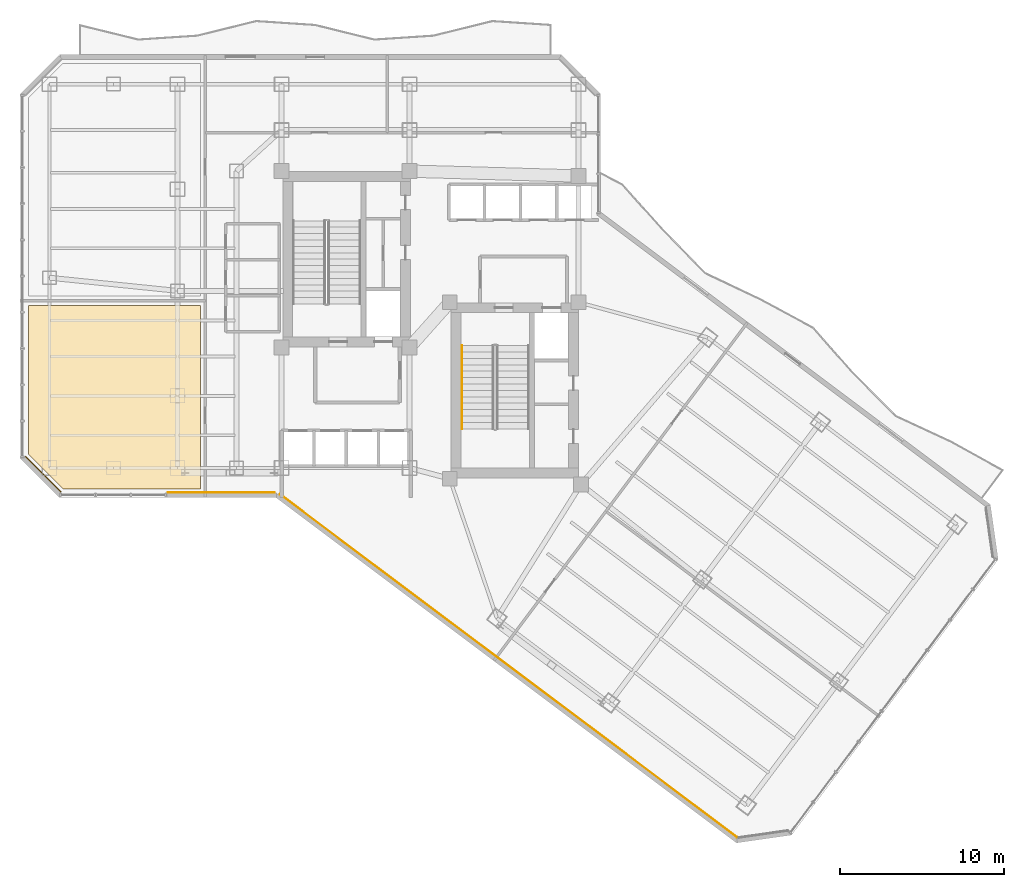
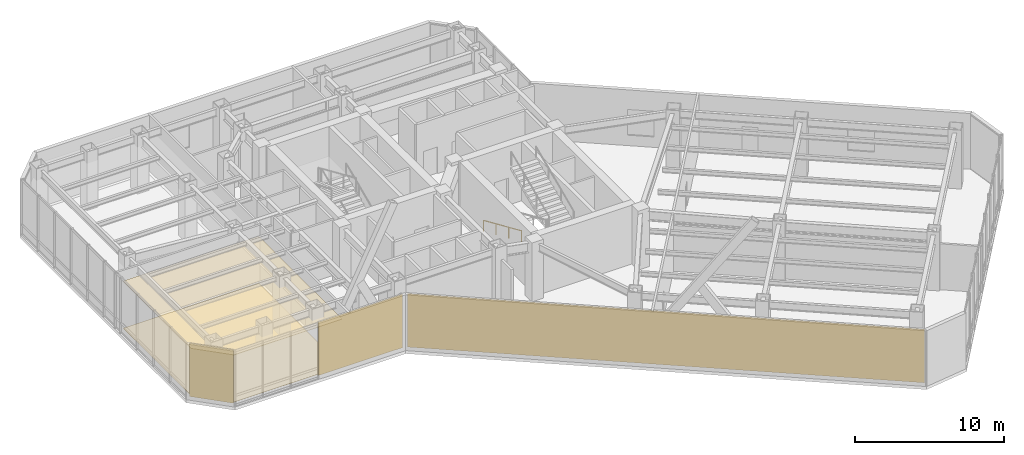
# One storey, part 23 of 27: 5 coverings, 1 railing.
"""IFC4 building model written with IfcOpenShell, lengths in metres."""

import ifcopenshell
import ifcopenshell.guid

model = None  # the IFC model being written
_history = None  # IfcOwnerHistory: only IFC2X3 demands one
_inside = {}  # id of a spatial element -> (the spatial element, [elements in it])
_under = {}  # id of a project, library or spatial element -> (it, [spatial elements below it])
_declared = {}  # id of a project -> (the project, [libraries it declares])
_typed = {}  # id of a type object -> (the type object, [elements of that type])
_made_of = {}  # id of a material, layer set ... -> (it, [elements and type objects made of it])


def new_model(schema):
    """Start an empty IFC model of exactly this schema.

    Asked for "IFC4X3", IfcOpenShell would pick the latest addendum, in which some entities
    have other attributes; the version numbers below select the first issue.
    IFC2X3 requires an IfcOwnerHistory on every rooted entity: one is made here for all.
    """
    global model, _history
    if schema == "IFC4X3":
        model = ifcopenshell.file(schema_version=(4, 3, 0, 0))
    else:
        model = ifcopenshell.file(schema=schema)
    _inside.clear()
    _under.clear()
    _declared.clear()
    _typed.clear()
    _made_of.clear()
    _history = None
    if model.schema == "IFC2X3":
        org = make("IfcOrganization", Name="unknown")
        user = make(
            "IfcPersonAndOrganization",
            ThePerson=make("IfcPerson", FamilyName="unknown"),
            TheOrganization=org,
        )
        app = make(
            "IfcApplication",
            ApplicationDeveloper=org,
            Version="unknown",
            ApplicationFullName="unknown",
            ApplicationIdentifier="unknown",
        )
        _history = make(
            "IfcOwnerHistory",
            OwningUser=user,
            OwningApplication=app,
            ChangeAction="ADDED",
            CreationDate=0,
        )
    return model


def make(cls, **values):
    """One entity of the class cls with the attributes given. An attribute that is None is left unset."""
    return model.create_entity(
        cls, **{name: value for name, value in values.items() if value is not None}
    )


def rooted(cls, **values):
    """An entity with a GlobalId (a new one), such as an element, a storey or a relation."""
    return make(cls, GlobalId=ifcopenshell.guid.new(), OwnerHistory=_history, **values)


def si_unit(unit_type, name, prefix=None):
    """IfcSIUnit, for example si_unit("LENGTHUNIT", "METRE", prefix="MILLI")."""
    return make("IfcSIUnit", UnitType=unit_type, Prefix=prefix, Name=name)


def assignment(units):
    """IfcUnitAssignment: the units of a project."""
    return None if units is None else make("IfcUnitAssignment", Units=units)


def point(xyz):
    """IfcCartesianPoint."""
    return None if xyz is None else make("IfcCartesianPoint", Coordinates=xyz)


def direction(xyz):
    """IfcDirection."""
    return None if xyz is None else make("IfcDirection", DirectionRatios=xyz)


def frame(location, z_axis=None, x_axis=None):
    """IfcAxis2Placement3D, a coordinate frame: its origin and axes. An axis left out is left unset."""
    return make(
        "IfcAxis2Placement3D",
        Location=point(location),
        Axis=direction(z_axis),
        RefDirection=direction(x_axis),
    )


def frame_2d(location, x_axis=None):
    """IfcAxis2Placement2D, a coordinate frame in the plane: its origin and x axis."""
    return make(
        "IfcAxis2Placement2D", Location=point(location), RefDirection=direction(x_axis)
    )


def origin():
    """The frame at (0, 0, 0) with its axes left unset."""
    return frame((0.0, 0.0, 0.0))


def origin_2d():
    """The frame at (0, 0) in the plane with its x axis left unset."""
    return frame_2d((0.0, 0.0))


def place(relative_to, where):
    """IfcLocalPlacement: puts the frame where relative to a parent placement (None: the world)."""
    return make(
        "IfcLocalPlacement", PlacementRelTo=relative_to, RelativePlacement=where
    )


def context(
    kind, dimensions, precision=None, world=None, true_north=None, identifier=None
):
    """IfcGeometricRepresentationContext, for example the 3D "Model" context."""
    return make(
        "IfcGeometricRepresentationContext",
        ContextIdentifier=identifier,
        ContextType=kind,
        CoordinateSpaceDimension=dimensions,
        Precision=precision,
        WorldCoordinateSystem=world,
        TrueNorth=true_north,
    )


def subcontext(parent, identifier, kind, view, scale=None):
    """IfcGeometricRepresentationSubContext, for example "Body" below "Model"."""
    return make(
        "IfcGeometricRepresentationSubContext",
        ContextIdentifier=identifier,
        ContextType=kind,
        ParentContext=parent,
        TargetScale=scale,
        TargetView=view,
    )


def project(units=None, contexts=None):
    """IfcProject with its units and contexts."""
    return rooted(
        "IfcProject",
        Name="project",
        RepresentationContexts=contexts,
        UnitsInContext=assignment(units),
    )


def spatial(cls, under=None, at=None, **own):
    """A site, building, storey or space (cls), placed at a placement, below another one or the project."""
    s = rooted(cls, ObjectPlacement=at, **own)
    if under is not None:
        _under.setdefault(under.id(), (under, []))[1].append(s)
    return s


def polyline(points):
    """IfcPolyline through the points."""
    return make("IfcPolyline", Points=[point(p) for p in points])


def profile(cls, at=None, kind="AREA", **sizes):
    """A parametric profile (cls). Its sizes go by their IFC names, for example OverallWidth=200.0."""
    return make(cls, ProfileType=kind, Position=at, **sizes)


def rectangle(**sizes):
    """IfcRectangleProfileDef."""
    return profile("IfcRectangleProfileDef", **sizes)


def circle(**sizes):
    """IfcCircleProfileDef."""
    return profile("IfcCircleProfileDef", **sizes)


def outline(outer, holes=None, kind="AREA"):
    """IfcArbitraryClosedProfileDef: a profile drawn as a closed curve; with holes, ...WithVoids."""
    if holes is None:
        return make("IfcArbitraryClosedProfileDef", ProfileType=kind, OuterCurve=outer)
    return make(
        "IfcArbitraryProfileDefWithVoids",
        ProfileType=kind,
        OuterCurve=outer,
        InnerCurves=holes,
    )


def extrude(swept, where, along, depth):
    """IfcExtrudedAreaSolid: the profile swept, set in the frame where, extruded along a direction by depth."""
    return make(
        "IfcExtrudedAreaSolid",
        SweptArea=swept,
        Position=where,
        ExtrudedDirection=direction(along),
        Depth=depth,
    )


def shape(context_of_items, identifier, shape_type, items):
    """IfcShapeRepresentation: the items that make up one representation, for example the "Body"."""
    return make(
        "IfcShapeRepresentation",
        ContextOfItems=context_of_items,
        RepresentationIdentifier=identifier,
        RepresentationType=shape_type,
        Items=items,
    )


def material(Name=None, Category=None):
    """IfcMaterial."""
    return make("IfcMaterial", Name=Name, Category=Category)


def layer(
    of_material, thickness, ventilated=None, Name=None, Category=None, Priority=None
):
    """IfcMaterialLayer: one layer of a wall or slab, of a material (None: an air gap)."""
    return make(
        "IfcMaterialLayer",
        Material=of_material,
        LayerThickness=thickness,
        IsVentilated=ventilated,
        Name=Name,
        Category=Category,
        Priority=Priority,
    )


def layer_set(layers, Name=None):
    """IfcMaterialLayerSet."""
    return make("IfcMaterialLayerSet", MaterialLayers=layers, LayerSetName=Name)


def made_of(thing, what):
    """Note that an element or type object is made of a material, layer set ...; save() writes the relation."""
    if what is not None:
        _made_of.setdefault(what.id(), (what, []))[1].append(thing)
    return thing


def type_object(cls, material=None, **own):
    """A type object (cls), such as IfcWallType, which elements share."""
    return made_of(rooted(cls, **own), material)


def element(
    cls,
    number,
    at=None,
    inside=None,
    cuts=None,
    type_object=None,
    material=None,
    context=None,
    identifier="Body",
    shape_type=None,
    held_by="IfcProductDefinitionShape",
    body=None,
    shapes=None,
    **own,
):
    """One element of the class cls, such as IfcWall. Its Tag is "e" and its number.

    at: its placement. inside: the storey or other place that contains it. cuts: it is an
    opening in that element (IfcRelVoidsElement). A single representation is given by context,
    identifier, shape_type and body (its items); several are given by shapes. held_by: the class
    of the entity that holds the representations. save() writes the other relations.
    """
    e = rooted(cls, Tag="e%d" % number, ObjectPlacement=at, **own)
    if body is not None:
        shapes = [shape(context, identifier, shape_type, body)]
    if shapes is not None:
        e.Representation = make(held_by, Representations=shapes)
    if inside is not None:
        _inside.setdefault(inside.id(), (inside, []))[1].append(e)
    if cuts is not None:
        rooted(
            "IfcRelVoidsElement", RelatingBuildingElement=cuts, RelatedOpeningElement=e
        )
    if type_object is not None:
        _typed.setdefault(type_object.id(), (type_object, []))[1].append(e)
    return made_of(e, material)


def aggregate(whole, parts):
    """IfcRelAggregates: a whole, such as a stair, and the parts it consists of."""
    return rooted("IfcRelAggregates", RelatingObject=whole, RelatedObjects=parts)


def save(model, path):
    """Write the relations noted so far, then the file.

    IfcRelAggregates (storeys below a building ...), IfcRelContainedInSpatialStructure (elements
    in a storey), IfcRelDefinesByType, IfcRelAssociatesMaterial and IfcRelDeclares: one each for
    every whole, place, type object, material and project.
    """
    for whole, parts in _under.values():
        aggregate(whole, parts)
    for where, things in _inside.values():
        rooted(
            "IfcRelContainedInSpatialStructure",
            RelatedElements=things,
            RelatingStructure=where,
        )
    for kind, things in _typed.values():
        rooted("IfcRelDefinesByType", RelatedObjects=things, RelatingType=kind)
    for what, things in _made_of.values():
        rooted("IfcRelAssociatesMaterial", RelatedObjects=things, RelatingMaterial=what)
    for by, libraries in _declared.values():
        rooted("IfcRelDeclares", RelatingContext=by, RelatedDefinitions=libraries)
    model.write(path)


model = new_model("IFC4")

# Units and contexts
model_context = context("Model", 3, precision=1e-05, world=origin(), true_north=direction((0.0, 1.0)))
body_context = subcontext(model_context, "Body", "Model", "MODEL_VIEW")
ifc_project = project(units=[si_unit("LENGTHUNIT", "METRE"), si_unit("AREAUNIT", "SQUARE_METRE"), si_unit("VOLUMEUNIT", "CUBIC_METRE"), si_unit("PLANEANGLEUNIT", "RADIAN"), si_unit("MASSUNIT", "GRAM", prefix="KILO")], contexts=[model_context])

# Site, building, storey
site_placement = place(None, origin())
site = spatial("IfcSite", under=ifc_project, at=site_placement, CompositionType="ELEMENT")
building_placement = place(site_placement, origin())
building = spatial("IfcBuilding", under=site, at=building_placement, Name="Hatsunagi Terrace Concourse", CompositionType="ELEMENT")
storey_placement = place(building_placement, frame((0.0, 0.0, 96.449951171875)))
storey = spatial("IfcBuildingStorey", under=building, at=storey_placement, Name="L25", CompositionType="ELEMENT", Elevation=96.449951171875)

# Covering
ifc_material_1 = material(Name="Hardwood timber", Category="wood")
ifc_layer_1 = layer(ifc_material_1, 0.014892578125)
ifc_layer_set_1 = layer_set([ifc_layer_1], Name="HardwoodTimberFlooring_15")
covering_type_1 = type_object("IfcCoveringType", Name="HardwoodTimberFlooring_15", PredefinedType="FLOORING", material=ifc_layer_set_1)
covering_1_placement = place(storey_placement, origin())
element("IfcCovering", 1, at=covering_1_placement, inside=storey, type_object=covering_type_1, Name="Finished Flooring L25-2", PredefinedType="FLOORING", context=body_context, shape_type="SweptSolid", body=[
    extrude(outline(polyline([(12.219970703125, 23.929931640625), (20.60009765625, 23.929931640625), (20.60009765625, 35.10009765625), (10.1298828125, 35.10009765625), (10.1298828125, 26.02001953125), (12.219970703125, 23.929931640625)])), origin(), (0.0, 0.0, 1.0), 0.01513671875),
])

# Railing
ifc_material_2 = material(Name="Stainless steel", Category="steel")
ifc_layer_2 = layer(ifc_material_2, 0.044921875)
ifc_layer_set_2 = layer_set([ifc_layer_2], Name="StairPitchHandrail_Tower2000")
railing_type = type_object("IfcRailingType", Name="StairPitchHandrail_Tower2000", PredefinedType="HANDRAIL", material=ifc_layer_set_2)
railing_placement = place(storey_placement, frame((36.550048828125, 32.659912109375, 0.17138671875)))
element("IfcRailing", 2, at=railing_placement, inside=storey, type_object=railing_type, Name="L25 ST-B stair handrail 1", PredefinedType="HANDRAIL", context=body_context, shape_type="SweptSolid", body=[
    extrude(circle(Radius=0.02392578125, at=origin_2d()), frame((0.0, 0.0, 0.8759765625), z_axis=(0.0, -0.915445640336, 0.402441647435), x_axis=(1.0, 0.0, 0.0)), (0.0, 0.0, 1.0), 5.5380859375),
    extrude(circle(Radius=0.02099609375, at=origin_2d()), origin(), (0.0, 0.0, 1.0), 0.851806640625),
    extrude(circle(Radius=0.02099609375, at=origin_2d()), frame((0.0, -1.68994140625, 0.742919921875)), (0.0, 0.0, 1.0), 0.851806640625),
    extrude(circle(Radius=0.02099609375, at=origin_2d()), frame((0.0, -3.3798828125, 1.48583984375)), (0.0, 0.0, 1.0), 0.851806640625),
    extrude(circle(Radius=0.02099609375, at=origin_2d()), frame((0.0, -5.06982421875, 2.228759765625)), (0.0, 0.0, 1.0), 0.851806640625),
])

# Coverings
ifc_material_3 = material(Name="Unglazed Warm Terracotta Rainscreen Tile", Category="masonry")
ifc_layer_3 = layer(ifc_material_3, 0.044921875)
ifc_layer_set_3 = layer_set([ifc_layer_3], Name="TerracottaRainscreenCladding_45")
covering_type_2 = type_object("IfcCoveringType", Name="TerracottaRainscreenCladding_45", PredefinedType="CLADDING", material=ifc_layer_set_3)
covering_2_placement = place(storey_placement, frame((39.3798828125, 13.14306640625, 0.10009765625), z_axis=(0.0, 0.0, 1.0), x_axis=(-0.800003116929, 0.599995844072, 0.0)))
element("IfcCovering", 3, at=covering_2_placement, inside=storey, type_object=covering_type_2, Name="Terracotta Rainscreen Cladding L25-05", PredefinedType="CLADDING", context=body_context, shape_type="SweptSolid", body=[
    extrude(rectangle(XDim=34.84912109375, YDim=0.044921875, at=origin_2d()), origin(), (0.0, 0.0, 1.0), 4.35009765625),
])
covering_3_placement = place(storey_placement, frame((21.873046875, 23.701904296875, 0.10009765625), z_axis=(0.0, 0.0, 1.0), x_axis=(-1.0, 0.0, 0.0)))
element("IfcCovering", 4, at=covering_3_placement, inside=storey, type_object=covering_type_2, Name="Terracotta Rainscreen Cladding L25-06", PredefinedType="CLADDING", context=body_context, shape_type="SweptSolid", body=[
    extrude(rectangle(XDim=6.507080078125, YDim=0.044921875, at=origin_2d()), origin(), (0.0, 0.0, 1.0), 4.35009765625),
])
covering_4_placement = place(storey_placement, frame((11.013916015625, 24.81396484375, 0.10009765625), z_axis=(0.0, 0.0, 1.0), x_axis=(-0.707106781187, 0.707106781187, 0.0)))
element("IfcCovering", 5, at=covering_4_placement, inside=storey, type_object=covering_type_2, Name="Terracotta Rainscreen Cladding L25-08", PredefinedType="CLADDING", context=body_context, shape_type="SweptSolid", body=[
    extrude(rectangle(XDim=3.0380859375, YDim=0.044921875, at=origin_2d()), origin(), (0.0, 0.0, 1.0), 4.35009765625),
])
ifc_material_4 = material(Name="Hardwood timber", Category="wood")
ifc_layer_4 = layer(ifc_material_4, 0.034912109375)
ifc_layer_set_4 = layer_set([ifc_layer_4], Name="TimberBaffleCeiling_35")
covering_type_3 = type_object("IfcCoveringType", Name="TimberBaffleCeiling_35", PredefinedType="CEILING", material=ifc_layer_set_4)
covering_5_placement = place(storey_placement, frame((0.0, 0.0, 3.830078125)))
element("IfcCovering", 6, at=covering_5_placement, inside=storey, type_object=covering_type_3, Name="Suspended Ceiling L25-2", PredefinedType="CEILING", context=body_context, shape_type="SweptSolid", body=[
    extrude(outline(polyline([(12.219970703125, 23.929931640625), (20.60009765625, 23.929931640625), (20.60009765625, 35.10009765625), (10.1298828125, 35.10009765625), (10.1298828125, 26.02001953125), (12.219970703125, 23.929931640625)])), origin(), (0.0, 0.0, 1.0), 0.034912109375),
])

save(model, "model.ifc")
